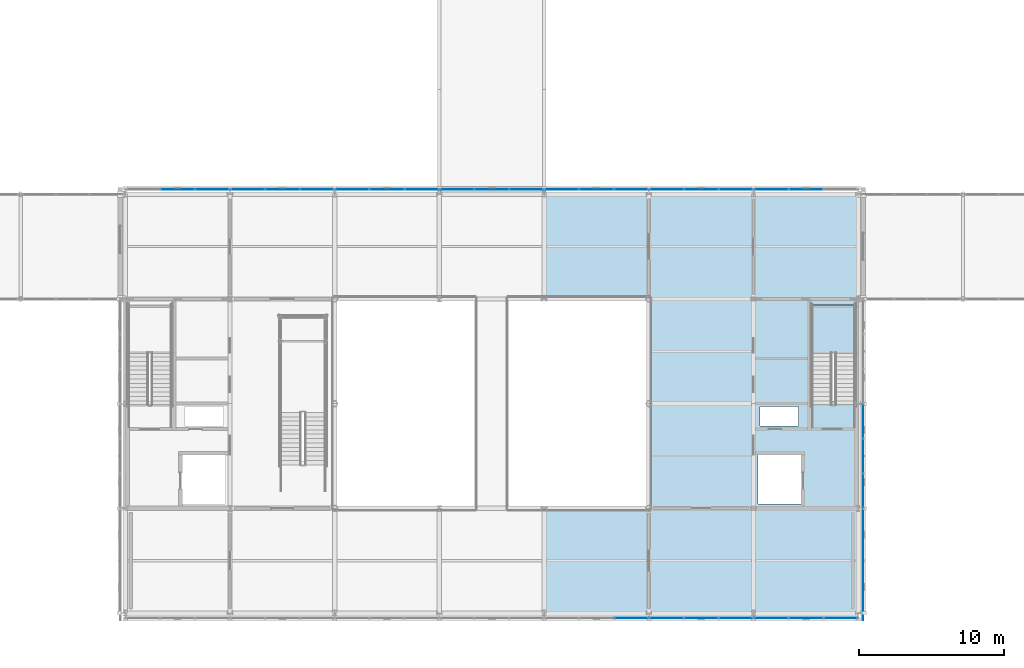
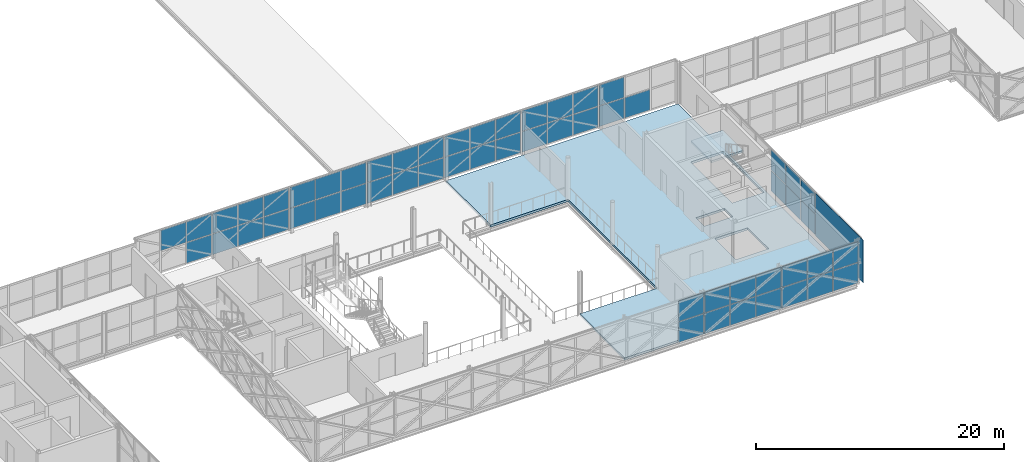
# One storey, part 77 of 126: 57 plates, 2 slabs, 12 elements without a shape of their own.
"""IFC4 building model written with IfcOpenShell, lengths in metres."""

from ifc_helpers import new_model, si_unit, direction, frame, origin, origin_2d, place, context, subcontext, project, spatial, polyline, rectangle, outline, extrude, material, layer, layer_set, type_object, element, aggregate, save


model = new_model("IFC4")

# Units and contexts
model_context = context("Model", 3, precision=1e-05, world=origin(), true_north=direction((0.0, 1.0)))
body_context = subcontext(model_context, "Body", "Model", "MODEL_VIEW")
ifc_project = project(units=[si_unit("LENGTHUNIT", "METRE"), si_unit("AREAUNIT", "SQUARE_METRE"), si_unit("VOLUMEUNIT", "CUBIC_METRE"), si_unit("PLANEANGLEUNIT", "RADIAN"), si_unit("MASSUNIT", "GRAM", prefix="KILO")], contexts=[model_context])

# Site, building, storey
site_placement = place(None, origin())
site = spatial("IfcSite", under=ifc_project, at=site_placement, CompositionType="ELEMENT")
building_placement = place(site_placement, origin())
building = spatial("IfcBuilding", under=site, at=building_placement, Name="Zlatovets Crest Museum", CompositionType="ELEMENT")
storey_placement = place(building_placement, frame((0.0, 0.0, 8.699951171875)))
storey = spatial("IfcBuildingStorey", under=building, at=storey_placement, Name="L02", CompositionType="ELEMENT", Elevation=8.699951171875)

# Curtain wall, plates
ifc_material_1 = material(Name="Bronze-anodised aluminium and low-E triple glass", Category="aluminium")
curtain_wall_type_1 = type_object("IfcCurtainWallType", Name="CW_CW-V2-L02-M0", PredefinedType="NOTDEFINED", material=ifc_material_1)
curtain_wall_1_placement = place(storey_placement, origin())
curtain_wall_1 = element("IfcCurtainWall", 1, at=curtain_wall_1_placement, inside=storey, type_object=curtain_wall_type_1, Name="V2 L02 Secession Foyer Clear Curtain Wall", PredefinedType="NOTDEFINED")
ifc_material_2 = material(Name="Solar-control low-E laminated triple glass", Category="glass")
ifc_layer_1 = layer(ifc_material_2, 0.028076171875)
ifc_layer_set_1 = layer_set([ifc_layer_1], Name="Solar-control low-E laminated triple glass")
plate_type_1 = type_object("IfcPlateType", Name="CWPanel_CW-V2-L02-M0", PredefinedType="CURTAIN_PANEL", material=ifc_layer_set_1)
plate_1_placement = place(storey_placement, frame((92.385009765625, -0.340087890625, 0.06005859375), z_axis=(0.0, 0.0, 1.0), x_axis=(1.0, 0.0, 0.0)))
plate_1 = element("IfcPlate", 2, at=plate_1_placement, type_object=plate_type_1, Name="CW-V2-L02-M0 panel 3.1", PredefinedType="CURTAIN_PANEL", context=body_context, shape_type="SweptSolid", body=[
    extrude(rectangle(XDim=2.31005859375, YDim=0.028076171875, at=origin_2d()), origin(), (0.0, 0.0, 1.0), 2.010009765625),
])
plate_2_placement = place(storey_placement, frame((92.385009765625, -0.340087890625, 2.1298828125), z_axis=(0.0, 0.0, 1.0), x_axis=(1.0, 0.0, 0.0)))
plate_2 = element("IfcPlate", 3, at=plate_2_placement, type_object=plate_type_1, Name="CW-V2-L02-M0 panel 3.2", PredefinedType="CURTAIN_PANEL", context=body_context, shape_type="SweptSolid", body=[
    extrude(rectangle(XDim=2.31005859375, YDim=0.028076171875, at=origin_2d()), origin(), (0.0, 0.0, 1.0), 2.010009765625),
])
aggregate(curtain_wall_1, [plate_1, plate_2])

curtain_wall_2_placement = place(storey_placement, origin())
curtain_wall_2 = element("IfcCurtainWall", 4, at=curtain_wall_2_placement, inside=storey, type_object=curtain_wall_type_1, Name="V2 L02 Expressed Core Glazed Facade", PredefinedType="NOTDEFINED")
plate_3_placement = place(storey_placement, frame((108.340087890625, 8.4150390625, 0.06005859375), z_axis=(0.0, 0.0, 1.0), x_axis=(0.0, 1.0, 0.0)))
plate_3 = element("IfcPlate", 5, at=plate_3_placement, type_object=plate_type_1, Name="CW-V2-L02-M0 panel 1.1", PredefinedType="CURTAIN_PANEL", context=body_context, shape_type="SweptSolid", body=[
    extrude(rectangle(XDim=2.31005859375, YDim=0.030029296875, at=origin_2d()), origin(), (0.0, 0.0, 1.0), 2.010009765625),
])
plate_4_placement = place(storey_placement, frame((108.340087890625, 8.4150390625, 2.1298828125), z_axis=(0.0, 0.0, 1.0), x_axis=(0.0, 1.0, 0.0)))
plate_4 = element("IfcPlate", 6, at=plate_4_placement, type_object=plate_type_1, Name="CW-V2-L02-M0 panel 1.2", PredefinedType="CURTAIN_PANEL", context=body_context, shape_type="SweptSolid", body=[
    extrude(rectangle(XDim=2.31005859375, YDim=0.030029296875, at=origin_2d()), origin(), (0.0, 0.0, 1.0), 2.010009765625),
])
plate_5_placement = place(storey_placement, frame((108.340087890625, 10.800048828125, 0.06005859375), z_axis=(0.0, 0.0, 1.0), x_axis=(0.0, 1.0, 0.0)))
plate_5 = element("IfcPlate", 7, at=plate_5_placement, type_object=plate_type_1, Name="CW-V2-L02-M0 panel 2.1", PredefinedType="CURTAIN_PANEL", context=body_context, shape_type="SweptSolid", body=[
    extrude(rectangle(XDim=2.340087890625, YDim=0.030029296875, at=origin_2d()), origin(), (0.0, 0.0, 1.0), 2.010009765625),
])
plate_6_placement = place(storey_placement, frame((108.340087890625, 10.800048828125, 2.1298828125), z_axis=(0.0, 0.0, 1.0), x_axis=(0.0, 1.0, 0.0)))
plate_6 = element("IfcPlate", 8, at=plate_6_placement, type_object=plate_type_1, Name="CW-V2-L02-M0 panel 2.2", PredefinedType="CURTAIN_PANEL", context=body_context, shape_type="SweptSolid", body=[
    extrude(rectangle(XDim=2.340087890625, YDim=0.030029296875, at=origin_2d()), origin(), (0.0, 0.0, 1.0), 2.010009765625),
])
plate_7_placement = place(storey_placement, frame((108.340087890625, 13.18505859375, 0.06005859375), z_axis=(0.0, 0.0, 1.0), x_axis=(0.0, 1.0, 0.0)))
plate_7 = element("IfcPlate", 9, at=plate_7_placement, type_object=plate_type_1, Name="CW-V2-L02-M0 panel 3.1", PredefinedType="CURTAIN_PANEL", context=body_context, shape_type="SweptSolid", body=[
    extrude(rectangle(XDim=2.31005859375, YDim=0.030029296875, at=origin_2d()), origin(), (0.0, 0.0, 1.0), 2.010009765625),
])
plate_8_placement = place(storey_placement, frame((108.340087890625, 13.18505859375, 2.1298828125), z_axis=(0.0, 0.0, 1.0), x_axis=(0.0, 1.0, 0.0)))
plate_8 = element("IfcPlate", 10, at=plate_8_placement, type_object=plate_type_1, Name="CW-V2-L02-M0 panel 3.2", PredefinedType="CURTAIN_PANEL", context=body_context, shape_type="SweptSolid", body=[
    extrude(rectangle(XDim=2.31005859375, YDim=0.030029296875, at=origin_2d()), origin(), (0.0, 0.0, 1.0), 2.010009765625),
])
aggregate(curtain_wall_2, [plate_3, plate_4, plate_5, plate_6, plate_7, plate_8])

curtain_wall_3_placement = place(storey_placement, origin())
curtain_wall_3 = element("IfcCurtainWall", 11, at=curtain_wall_3_placement, inside=storey, type_object=curtain_wall_type_1, Name="V2 L02 Secession Foyer Clear Curtain Wall", PredefinedType="NOTDEFINED")
plate_9_placement = place(storey_placement, frame((99.5849609375, 29.139892578125, 0.06005859375), z_axis=(0.0, 0.0, 1.0), x_axis=(-1.0, 0.0, 0.0)))
plate_9 = element("IfcPlate", 12, at=plate_9_placement, type_object=plate_type_1, Name="CW-V2-L02-M0 panel 1.1", PredefinedType="CURTAIN_PANEL", context=body_context, shape_type="SweptSolid", body=[
    extrude(rectangle(XDim=2.31005859375, YDim=0.028076171875, at=origin_2d()), origin(), (0.0, 0.0, 1.0), 2.010009765625),
])
plate_10_placement = place(storey_placement, frame((99.5849609375, 29.139892578125, 2.1298828125), z_axis=(0.0, 0.0, 1.0), x_axis=(-1.0, 0.0, 0.0)))
plate_10 = element("IfcPlate", 13, at=plate_10_placement, type_object=plate_type_1, Name="CW-V2-L02-M0 panel 1.2", PredefinedType="CURTAIN_PANEL", context=body_context, shape_type="SweptSolid", body=[
    extrude(rectangle(XDim=2.31005859375, YDim=0.028076171875, at=origin_2d()), origin(), (0.0, 0.0, 1.0), 2.010009765625),
])
plate_11_placement = place(storey_placement, frame((97.199951171875, 29.139892578125, 0.06005859375), z_axis=(0.0, 0.0, 1.0), x_axis=(-1.0, 0.0, 0.0)))
plate_11 = element("IfcPlate", 14, at=plate_11_placement, type_object=plate_type_1, Name="CW-V2-L02-M0 panel 2.1", PredefinedType="CURTAIN_PANEL", context=body_context, shape_type="SweptSolid", body=[
    extrude(rectangle(XDim=2.340087890625, YDim=0.028076171875, at=origin_2d()), origin(), (0.0, 0.0, 1.0), 2.010009765625),
])
plate_12_placement = place(storey_placement, frame((97.199951171875, 29.139892578125, 2.1298828125), z_axis=(0.0, 0.0, 1.0), x_axis=(-1.0, 0.0, 0.0)))
plate_12 = element("IfcPlate", 15, at=plate_12_placement, type_object=plate_type_1, Name="CW-V2-L02-M0 panel 2.2", PredefinedType="CURTAIN_PANEL", context=body_context, shape_type="SweptSolid", body=[
    extrude(rectangle(XDim=2.340087890625, YDim=0.028076171875, at=origin_2d()), origin(), (0.0, 0.0, 1.0), 2.010009765625),
])
plate_13_placement = place(storey_placement, frame((94.81494140625, 29.139892578125, 0.06005859375), z_axis=(0.0, 0.0, 1.0), x_axis=(-1.0, 0.0, 0.0)))
plate_13 = element("IfcPlate", 16, at=plate_13_placement, type_object=plate_type_1, Name="CW-V2-L02-M0 panel 3.1", PredefinedType="CURTAIN_PANEL", context=body_context, shape_type="SweptSolid", body=[
    extrude(rectangle(XDim=2.31005859375, YDim=0.028076171875, at=origin_2d()), origin(), (0.0, 0.0, 1.0), 2.010009765625),
])
plate_14_placement = place(storey_placement, frame((94.81494140625, 29.139892578125, 2.1298828125), z_axis=(0.0, 0.0, 1.0), x_axis=(-1.0, 0.0, 0.0)))
plate_14 = element("IfcPlate", 17, at=plate_14_placement, type_object=plate_type_1, Name="CW-V2-L02-M0 panel 3.2", PredefinedType="CURTAIN_PANEL", context=body_context, shape_type="SweptSolid", body=[
    extrude(rectangle(XDim=2.31005859375, YDim=0.028076171875, at=origin_2d()), origin(), (0.0, 0.0, 1.0), 2.010009765625),
])
aggregate(curtain_wall_3, [plate_9, plate_10, plate_11, plate_12, plate_13, plate_14])

curtain_wall_4_placement = place(storey_placement, origin())
curtain_wall_4 = element("IfcCurtainWall", 18, at=curtain_wall_4_placement, inside=storey, type_object=curtain_wall_type_1, Name="V2 L02 Secession Foyer Clear Curtain Wall", PredefinedType="NOTDEFINED")
plate_15_placement = place(storey_placement, frame((70.784912109375, 29.139892578125, 0.06005859375), z_axis=(0.0, 0.0, 1.0), x_axis=(-1.0, 0.0, 0.0)))
plate_15 = element("IfcPlate", 19, at=plate_15_placement, type_object=plate_type_1, Name="CW-V2-L02-M0 panel 1.1", PredefinedType="CURTAIN_PANEL", context=body_context, shape_type="SweptSolid", body=[
    extrude(rectangle(XDim=2.31005859375, YDim=0.028076171875, at=origin_2d()), origin(), (0.0, 0.0, 1.0), 2.010009765625),
])
plate_16_placement = place(storey_placement, frame((70.784912109375, 29.139892578125, 2.1298828125), z_axis=(0.0, 0.0, 1.0), x_axis=(-1.0, 0.0, 0.0)))
plate_16 = element("IfcPlate", 20, at=plate_16_placement, type_object=plate_type_1, Name="CW-V2-L02-M0 panel 1.2", PredefinedType="CURTAIN_PANEL", context=body_context, shape_type="SweptSolid", body=[
    extrude(rectangle(XDim=2.31005859375, YDim=0.028076171875, at=origin_2d()), origin(), (0.0, 0.0, 1.0), 2.010009765625),
])
plate_17_placement = place(storey_placement, frame((68.39990234375, 29.139892578125, 0.06005859375), z_axis=(0.0, 0.0, 1.0), x_axis=(-1.0, 0.0, 0.0)))
plate_17 = element("IfcPlate", 21, at=plate_17_placement, type_object=plate_type_1, Name="CW-V2-L02-M0 panel 2.1", PredefinedType="CURTAIN_PANEL", context=body_context, shape_type="SweptSolid", body=[
    extrude(rectangle(XDim=2.340087890625, YDim=0.028076171875, at=origin_2d()), origin(), (0.0, 0.0, 1.0), 2.010009765625),
])
plate_18_placement = place(storey_placement, frame((68.39990234375, 29.139892578125, 2.1298828125), z_axis=(0.0, 0.0, 1.0), x_axis=(-1.0, 0.0, 0.0)))
plate_18 = element("IfcPlate", 22, at=plate_18_placement, type_object=plate_type_1, Name="CW-V2-L02-M0 panel 2.2", PredefinedType="CURTAIN_PANEL", context=body_context, shape_type="SweptSolid", body=[
    extrude(rectangle(XDim=2.340087890625, YDim=0.028076171875, at=origin_2d()), origin(), (0.0, 0.0, 1.0), 2.010009765625),
])
plate_19_placement = place(storey_placement, frame((66.014892578125, 29.139892578125, 0.06005859375), z_axis=(0.0, 0.0, 1.0), x_axis=(-1.0, 0.0, 0.0)))
plate_19 = element("IfcPlate", 23, at=plate_19_placement, type_object=plate_type_1, Name="CW-V2-L02-M0 panel 3.1", PredefinedType="CURTAIN_PANEL", context=body_context, shape_type="SweptSolid", body=[
    extrude(rectangle(XDim=2.31005859375, YDim=0.028076171875, at=origin_2d()), origin(), (0.0, 0.0, 1.0), 2.010009765625),
])
plate_20_placement = place(storey_placement, frame((66.014892578125, 29.139892578125, 2.1298828125), z_axis=(0.0, 0.0, 1.0), x_axis=(-1.0, 0.0, 0.0)))
plate_20 = element("IfcPlate", 24, at=plate_20_placement, type_object=plate_type_1, Name="CW-V2-L02-M0 panel 3.2", PredefinedType="CURTAIN_PANEL", context=body_context, shape_type="SweptSolid", body=[
    extrude(rectangle(XDim=2.31005859375, YDim=0.028076171875, at=origin_2d()), origin(), (0.0, 0.0, 1.0), 2.010009765625),
])
aggregate(curtain_wall_4, [plate_15, plate_16, plate_17, plate_18, plate_19, plate_20])

curtain_wall_type_2 = type_object("IfcCurtainWallType", Name="CW_CW-V2-L02-M1", PredefinedType="NOTDEFINED", material=ifc_material_1)
curtain_wall_5_placement = place(storey_placement, origin())
curtain_wall_5 = element("IfcCurtainWall", 25, at=curtain_wall_5_placement, inside=storey, type_object=curtain_wall_type_2, Name="V2 L02 Secession Foyer Clear Curtain Wall", PredefinedType="NOTDEFINED")
ifc_layer_2 = layer(ifc_material_2, 0.031982421875)
ifc_layer_set_2 = layer_set([ifc_layer_2], Name="Solar-control low-E laminated triple glass")
plate_type_2 = type_object("IfcPlateType", Name="CWPanel_CW-V2-L02-M1", PredefinedType="CURTAIN_PANEL", material=ifc_layer_set_2)
plate_21_placement = place(storey_placement, frame((94.81494140625, -0.340087890625, 0.06005859375), z_axis=(0.0, 0.0, 1.0), x_axis=(1.0, 0.0, 0.0)))
plate_21 = element("IfcPlate", 26, at=plate_21_placement, type_object=plate_type_2, Name="CW-V2-L02-M1 panel 1.1", PredefinedType="CURTAIN_PANEL", context=body_context, shape_type="SweptSolid", body=[
    extrude(rectangle(XDim=2.31005859375, YDim=0.031982421875, at=origin_2d()), origin(), (0.0, 0.0, 1.0), 2.010009765625),
])
plate_22_placement = place(storey_placement, frame((94.81494140625, -0.340087890625, 2.1298828125), z_axis=(0.0, 0.0, 1.0), x_axis=(1.0, 0.0, 0.0)))
plate_22 = element("IfcPlate", 27, at=plate_22_placement, type_object=plate_type_2, Name="CW-V2-L02-M1 panel 1.2", PredefinedType="CURTAIN_PANEL", context=body_context, shape_type="SweptSolid", body=[
    extrude(rectangle(XDim=2.31005859375, YDim=0.031982421875, at=origin_2d()), origin(), (0.0, 0.0, 1.0), 2.010009765625),
])
plate_23_placement = place(storey_placement, frame((97.199951171875, -0.340087890625, 0.06005859375), z_axis=(0.0, 0.0, 1.0), x_axis=(1.0, 0.0, 0.0)))
plate_23 = element("IfcPlate", 28, at=plate_23_placement, type_object=plate_type_2, Name="CW-V2-L02-M1 panel 2.1", PredefinedType="CURTAIN_PANEL", context=body_context, shape_type="SweptSolid", body=[
    extrude(rectangle(XDim=2.340087890625, YDim=0.031982421875, at=origin_2d()), origin(), (0.0, 0.0, 1.0), 2.010009765625),
])
plate_24_placement = place(storey_placement, frame((97.199951171875, -0.340087890625, 2.1298828125), z_axis=(0.0, 0.0, 1.0), x_axis=(1.0, 0.0, 0.0)))
plate_24 = element("IfcPlate", 29, at=plate_24_placement, type_object=plate_type_2, Name="CW-V2-L02-M1 panel 2.2", PredefinedType="CURTAIN_PANEL", context=body_context, shape_type="SweptSolid", body=[
    extrude(rectangle(XDim=2.340087890625, YDim=0.031982421875, at=origin_2d()), origin(), (0.0, 0.0, 1.0), 2.010009765625),
])
plate_25_placement = place(storey_placement, frame((99.5849609375, -0.340087890625, 0.06005859375), z_axis=(0.0, 0.0, 1.0), x_axis=(1.0, 0.0, 0.0)))
plate_25 = element("IfcPlate", 30, at=plate_25_placement, type_object=plate_type_2, Name="CW-V2-L02-M1 panel 3.1", PredefinedType="CURTAIN_PANEL", context=body_context, shape_type="SweptSolid", body=[
    extrude(rectangle(XDim=2.31005859375, YDim=0.031982421875, at=origin_2d()), origin(), (0.0, 0.0, 1.0), 2.010009765625),
])
plate_26_placement = place(storey_placement, frame((99.5849609375, -0.340087890625, 2.1298828125), z_axis=(0.0, 0.0, 1.0), x_axis=(1.0, 0.0, 0.0)))
plate_26 = element("IfcPlate", 31, at=plate_26_placement, type_object=plate_type_2, Name="CW-V2-L02-M1 panel 3.2", PredefinedType="CURTAIN_PANEL", context=body_context, shape_type="SweptSolid", body=[
    extrude(rectangle(XDim=2.31005859375, YDim=0.031982421875, at=origin_2d()), origin(), (0.0, 0.0, 1.0), 2.010009765625),
])
aggregate(curtain_wall_5, [plate_21, plate_22, plate_23, plate_24, plate_25, plate_26])

curtain_wall_6_placement = place(storey_placement, origin())
curtain_wall_6 = element("IfcCurtainWall", 32, at=curtain_wall_6_placement, inside=storey, type_object=curtain_wall_type_2, Name="V2 L02 Secession Foyer Clear Curtain Wall", PredefinedType="NOTDEFINED")
plate_27_placement = place(storey_placement, frame((92.385009765625, 29.139892578125, 0.06005859375), z_axis=(0.0, 0.0, 1.0), x_axis=(-1.0, 0.0, 0.0)))
plate_27 = element("IfcPlate", 33, at=plate_27_placement, type_object=plate_type_2, Name="CW-V2-L02-M1 panel 1.1", PredefinedType="CURTAIN_PANEL", context=body_context, shape_type="SweptSolid", body=[
    extrude(rectangle(XDim=2.31005859375, YDim=0.031982421875, at=origin_2d()), origin(), (0.0, 0.0, 1.0), 2.010009765625),
])
plate_28_placement = place(storey_placement, frame((92.385009765625, 29.139892578125, 2.1298828125), z_axis=(0.0, 0.0, 1.0), x_axis=(-1.0, 0.0, 0.0)))
plate_28 = element("IfcPlate", 34, at=plate_28_placement, type_object=plate_type_2, Name="CW-V2-L02-M1 panel 1.2", PredefinedType="CURTAIN_PANEL", context=body_context, shape_type="SweptSolid", body=[
    extrude(rectangle(XDim=2.31005859375, YDim=0.031982421875, at=origin_2d()), origin(), (0.0, 0.0, 1.0), 2.010009765625),
])
plate_29_placement = place(storey_placement, frame((90.0, 29.139892578125, 0.06005859375), z_axis=(0.0, 0.0, 1.0), x_axis=(-1.0, 0.0, 0.0)))
plate_29 = element("IfcPlate", 35, at=plate_29_placement, type_object=plate_type_2, Name="CW-V2-L02-M1 panel 2.1", PredefinedType="CURTAIN_PANEL", context=body_context, shape_type="SweptSolid", body=[
    extrude(rectangle(XDim=2.340087890625, YDim=0.031982421875, at=origin_2d()), origin(), (0.0, 0.0, 1.0), 2.010009765625),
])
plate_30_placement = place(storey_placement, frame((90.0, 29.139892578125, 2.1298828125), z_axis=(0.0, 0.0, 1.0), x_axis=(-1.0, 0.0, 0.0)))
plate_30 = element("IfcPlate", 36, at=plate_30_placement, type_object=plate_type_2, Name="CW-V2-L02-M1 panel 2.2", PredefinedType="CURTAIN_PANEL", context=body_context, shape_type="SweptSolid", body=[
    extrude(rectangle(XDim=2.340087890625, YDim=0.031982421875, at=origin_2d()), origin(), (0.0, 0.0, 1.0), 2.010009765625),
])
plate_31_placement = place(storey_placement, frame((87.614990234375, 29.139892578125, 0.06005859375), z_axis=(0.0, 0.0, 1.0), x_axis=(-1.0, 0.0, 0.0)))
plate_31 = element("IfcPlate", 37, at=plate_31_placement, type_object=plate_type_2, Name="CW-V2-L02-M1 panel 3.1", PredefinedType="CURTAIN_PANEL", context=body_context, shape_type="SweptSolid", body=[
    extrude(rectangle(XDim=2.31005859375, YDim=0.031982421875, at=origin_2d()), origin(), (0.0, 0.0, 1.0), 2.010009765625),
])
plate_32_placement = place(storey_placement, frame((87.614990234375, 29.139892578125, 2.1298828125), z_axis=(0.0, 0.0, 1.0), x_axis=(-1.0, 0.0, 0.0)))
plate_32 = element("IfcPlate", 38, at=plate_32_placement, type_object=plate_type_2, Name="CW-V2-L02-M1 panel 3.2", PredefinedType="CURTAIN_PANEL", context=body_context, shape_type="SweptSolid", body=[
    extrude(rectangle(XDim=2.31005859375, YDim=0.031982421875, at=origin_2d()), origin(), (0.0, 0.0, 1.0), 2.010009765625),
])
aggregate(curtain_wall_6, [plate_27, plate_28, plate_29, plate_30, plate_31, plate_32])

curtain_wall_7_placement = place(storey_placement, origin())
curtain_wall_7 = element("IfcCurtainWall", 39, at=curtain_wall_7_placement, inside=storey, type_object=curtain_wall_type_2, Name="V2 L02 Secession Foyer Clear Curtain Wall", PredefinedType="NOTDEFINED")
plate_33_placement = place(storey_placement, frame((63.5849609375, 29.139892578125, 0.06005859375), z_axis=(0.0, 0.0, 1.0), x_axis=(-1.0, 0.0, 0.0)))
plate_33 = element("IfcPlate", 40, at=plate_33_placement, type_object=plate_type_2, Name="CW-V2-L02-M1 panel 1.1", PredefinedType="CURTAIN_PANEL", context=body_context, shape_type="SweptSolid", body=[
    extrude(rectangle(XDim=2.31005859375, YDim=0.031982421875, at=origin_2d()), origin(), (0.0, 0.0, 1.0), 2.010009765625),
])
plate_34_placement = place(storey_placement, frame((63.5849609375, 29.139892578125, 2.1298828125), z_axis=(0.0, 0.0, 1.0), x_axis=(-1.0, 0.0, 0.0)))
plate_34 = element("IfcPlate", 41, at=plate_34_placement, type_object=plate_type_2, Name="CW-V2-L02-M1 panel 1.2", PredefinedType="CURTAIN_PANEL", context=body_context, shape_type="SweptSolid", body=[
    extrude(rectangle(XDim=2.31005859375, YDim=0.031982421875, at=origin_2d()), origin(), (0.0, 0.0, 1.0), 2.010009765625),
])
plate_35_placement = place(storey_placement, frame((61.199951171875, 29.139892578125, 2.1298828125), z_axis=(0.0, 0.0, 1.0), x_axis=(-1.0, 0.0, 0.0)))
plate_35 = element("IfcPlate", 42, at=plate_35_placement, type_object=plate_type_2, Name="CW-V2-L02-M1 panel 2.2", PredefinedType="CURTAIN_PANEL", context=body_context, shape_type="SweptSolid", body=[
    extrude(rectangle(XDim=2.340087890625, YDim=0.031982421875, at=origin_2d()), origin(), (0.0, 0.0, 1.0), 2.010009765625),
])
aggregate(curtain_wall_7, [plate_33, plate_34, plate_35])

curtain_wall_type_3 = type_object("IfcCurtainWallType", Name="CW_CW-V2-L02-M2", PredefinedType="NOTDEFINED", material=ifc_material_1)
curtain_wall_8_placement = place(storey_placement, origin())
curtain_wall_8 = element("IfcCurtainWall", 43, at=curtain_wall_8_placement, inside=storey, type_object=curtain_wall_type_3, Name="V2 L02 Secession Foyer Clear Curtain Wall", PredefinedType="NOTDEFINED")
ifc_layer_3 = layer(ifc_material_2, 0.035888671875)
ifc_layer_set_3 = layer_set([ifc_layer_3], Name="Solar-control low-E laminated triple glass")
plate_type_3 = type_object("IfcPlateType", Name="CWPanel_CW-V2-L02-M2", PredefinedType="CURTAIN_PANEL", material=ifc_layer_set_3)
plate_36_placement = place(storey_placement, frame((102.014892578125, -0.340087890625, 0.06005859375), z_axis=(0.0, 0.0, 1.0), x_axis=(1.0, 0.0, 0.0)))
plate_36 = element("IfcPlate", 44, at=plate_36_placement, type_object=plate_type_3, Name="CW-V2-L02-M2 panel 1.1", PredefinedType="CURTAIN_PANEL", context=body_context, shape_type="SweptSolid", body=[
    extrude(rectangle(XDim=2.31005859375, YDim=0.035888671875, at=origin_2d()), origin(), (0.0, 0.0, 1.0), 2.010009765625),
])
plate_37_placement = place(storey_placement, frame((102.014892578125, -0.340087890625, 2.1298828125), z_axis=(0.0, 0.0, 1.0), x_axis=(1.0, 0.0, 0.0)))
plate_37 = element("IfcPlate", 45, at=plate_37_placement, type_object=plate_type_3, Name="CW-V2-L02-M2 panel 1.2", PredefinedType="CURTAIN_PANEL", context=body_context, shape_type="SweptSolid", body=[
    extrude(rectangle(XDim=2.31005859375, YDim=0.035888671875, at=origin_2d()), origin(), (0.0, 0.0, 1.0), 2.010009765625),
])
plate_38_placement = place(storey_placement, frame((104.39990234375, -0.340087890625, 0.06005859375), z_axis=(0.0, 0.0, 1.0), x_axis=(1.0, 0.0, 0.0)))
plate_38 = element("IfcPlate", 46, at=plate_38_placement, type_object=plate_type_3, Name="CW-V2-L02-M2 panel 2.1", PredefinedType="CURTAIN_PANEL", context=body_context, shape_type="SweptSolid", body=[
    extrude(rectangle(XDim=2.340087890625, YDim=0.035888671875, at=origin_2d()), origin(), (0.0, 0.0, 1.0), 2.010009765625),
])
plate_39_placement = place(storey_placement, frame((104.39990234375, -0.340087890625, 2.1298828125), z_axis=(0.0, 0.0, 1.0), x_axis=(1.0, 0.0, 0.0)))
plate_39 = element("IfcPlate", 47, at=plate_39_placement, type_object=plate_type_3, Name="CW-V2-L02-M2 panel 2.2", PredefinedType="CURTAIN_PANEL", context=body_context, shape_type="SweptSolid", body=[
    extrude(rectangle(XDim=2.340087890625, YDim=0.035888671875, at=origin_2d()), origin(), (0.0, 0.0, 1.0), 2.010009765625),
])
plate_40_placement = place(storey_placement, frame((106.784912109375, -0.340087890625, 0.06005859375), z_axis=(0.0, 0.0, 1.0), x_axis=(1.0, 0.0, 0.0)))
plate_40 = element("IfcPlate", 48, at=plate_40_placement, type_object=plate_type_3, Name="CW-V2-L02-M2 panel 3.1", PredefinedType="CURTAIN_PANEL", context=body_context, shape_type="SweptSolid", body=[
    extrude(rectangle(XDim=2.31005859375, YDim=0.035888671875, at=origin_2d()), origin(), (0.0, 0.0, 1.0), 2.010009765625),
])
plate_41_placement = place(storey_placement, frame((106.784912109375, -0.340087890625, 2.1298828125), z_axis=(0.0, 0.0, 1.0), x_axis=(1.0, 0.0, 0.0)))
plate_41 = element("IfcPlate", 49, at=plate_41_placement, type_object=plate_type_3, Name="CW-V2-L02-M2 panel 3.2", PredefinedType="CURTAIN_PANEL", context=body_context, shape_type="SweptSolid", body=[
    extrude(rectangle(XDim=2.31005859375, YDim=0.035888671875, at=origin_2d()), origin(), (0.0, 0.0, 1.0), 2.010009765625),
])
aggregate(curtain_wall_8, [plate_36, plate_37, plate_38, plate_39, plate_40, plate_41])

curtain_wall_9_placement = place(storey_placement, origin())
curtain_wall_9 = element("IfcCurtainWall", 50, at=curtain_wall_9_placement, inside=storey, type_object=curtain_wall_type_3, Name="V2 L02 Secession Foyer Clear Curtain Wall", PredefinedType="NOTDEFINED")
plate_42_placement = place(storey_placement, frame((85.18505859375, 29.139892578125, 0.06005859375), z_axis=(0.0, 0.0, 1.0), x_axis=(-1.0, 0.0, 0.0)))
plate_42 = element("IfcPlate", 51, at=plate_42_placement, type_object=plate_type_3, Name="CW-V2-L02-M2 panel 1.1", PredefinedType="CURTAIN_PANEL", context=body_context, shape_type="SweptSolid", body=[
    extrude(rectangle(XDim=2.31005859375, YDim=0.035888671875, at=origin_2d()), origin(), (0.0, 0.0, 1.0), 2.010009765625),
])
plate_43_placement = place(storey_placement, frame((85.18505859375, 29.139892578125, 2.1298828125), z_axis=(0.0, 0.0, 1.0), x_axis=(-1.0, 0.0, 0.0)))
plate_43 = element("IfcPlate", 52, at=plate_43_placement, type_object=plate_type_3, Name="CW-V2-L02-M2 panel 1.2", PredefinedType="CURTAIN_PANEL", context=body_context, shape_type="SweptSolid", body=[
    extrude(rectangle(XDim=2.31005859375, YDim=0.035888671875, at=origin_2d()), origin(), (0.0, 0.0, 1.0), 2.010009765625),
])
plate_44_placement = place(storey_placement, frame((82.800048828125, 29.139892578125, 0.06005859375), z_axis=(0.0, 0.0, 1.0), x_axis=(-1.0, 0.0, 0.0)))
plate_44 = element("IfcPlate", 53, at=plate_44_placement, type_object=plate_type_3, Name="CW-V2-L02-M2 panel 2.1", PredefinedType="CURTAIN_PANEL", context=body_context, shape_type="SweptSolid", body=[
    extrude(rectangle(XDim=2.340087890625, YDim=0.035888671875, at=origin_2d()), origin(), (0.0, 0.0, 1.0), 2.010009765625),
])
plate_45_placement = place(storey_placement, frame((82.800048828125, 29.139892578125, 2.1298828125), z_axis=(0.0, 0.0, 1.0), x_axis=(-1.0, 0.0, 0.0)))
plate_45 = element("IfcPlate", 54, at=plate_45_placement, type_object=plate_type_3, Name="CW-V2-L02-M2 panel 2.2", PredefinedType="CURTAIN_PANEL", context=body_context, shape_type="SweptSolid", body=[
    extrude(rectangle(XDim=2.340087890625, YDim=0.035888671875, at=origin_2d()), origin(), (0.0, 0.0, 1.0), 2.010009765625),
])
plate_46_placement = place(storey_placement, frame((80.4150390625, 29.139892578125, 0.06005859375), z_axis=(0.0, 0.0, 1.0), x_axis=(-1.0, 0.0, 0.0)))
plate_46 = element("IfcPlate", 55, at=plate_46_placement, type_object=plate_type_3, Name="CW-V2-L02-M2 panel 3.1", PredefinedType="CURTAIN_PANEL", context=body_context, shape_type="SweptSolid", body=[
    extrude(rectangle(XDim=2.31005859375, YDim=0.035888671875, at=origin_2d()), origin(), (0.0, 0.0, 1.0), 2.010009765625),
])
plate_47_placement = place(storey_placement, frame((80.4150390625, 29.139892578125, 2.1298828125), z_axis=(0.0, 0.0, 1.0), x_axis=(-1.0, 0.0, 0.0)))
plate_47 = element("IfcPlate", 56, at=plate_47_placement, type_object=plate_type_3, Name="CW-V2-L02-M2 panel 3.2", PredefinedType="CURTAIN_PANEL", context=body_context, shape_type="SweptSolid", body=[
    extrude(rectangle(XDim=2.31005859375, YDim=0.035888671875, at=origin_2d()), origin(), (0.0, 0.0, 1.0), 2.010009765625),
])
aggregate(curtain_wall_9, [plate_42, plate_43, plate_44, plate_45, plate_46, plate_47])

curtain_wall_type_4 = type_object("IfcCurtainWallType", Name="CW_CW-V2-L02-M3", PredefinedType="NOTDEFINED", material=ifc_material_1)
curtain_wall_10_placement = place(storey_placement, origin())
curtain_wall_10 = element("IfcCurtainWall", 57, at=curtain_wall_10_placement, inside=storey, type_object=curtain_wall_type_4, Name="V2 L02 Secession Foyer Clear Curtain Wall", PredefinedType="NOTDEFINED")
ifc_layer_4 = layer(ifc_material_2, 0.0400390625)
ifc_layer_set_4 = layer_set([ifc_layer_4], Name="Solar-control low-E laminated triple glass")
plate_type_4 = type_object("IfcPlateType", Name="CWPanel_CW-V2-L02-M3", PredefinedType="CURTAIN_PANEL", material=ifc_layer_set_4)
plate_48_placement = place(storey_placement, frame((104.39990234375, 29.139892578125, 0.06005859375), z_axis=(0.0, 0.0, 1.0), x_axis=(-1.0, 0.0, 0.0)))
plate_48 = element("IfcPlate", 58, at=plate_48_placement, type_object=plate_type_4, Name="CW-V2-L02-M3 panel 2.1", PredefinedType="CURTAIN_PANEL", context=body_context, shape_type="SweptSolid", body=[
    extrude(rectangle(XDim=2.340087890625, YDim=0.0400390625, at=origin_2d()), origin(), (0.0, 0.0, 1.0), 2.010009765625),
])
plate_49_placement = place(storey_placement, frame((102.014892578125, 29.139892578125, 0.06005859375), z_axis=(0.0, 0.0, 1.0), x_axis=(-1.0, 0.0, 0.0)))
plate_49 = element("IfcPlate", 59, at=plate_49_placement, type_object=plate_type_4, Name="CW-V2-L02-M3 panel 3.1", PredefinedType="CURTAIN_PANEL", context=body_context, shape_type="SweptSolid", body=[
    extrude(rectangle(XDim=2.31005859375, YDim=0.0400390625, at=origin_2d()), origin(), (0.0, 0.0, 1.0), 2.010009765625),
])
plate_50_placement = place(storey_placement, frame((102.014892578125, 29.139892578125, 2.1298828125), z_axis=(0.0, 0.0, 1.0), x_axis=(-1.0, 0.0, 0.0)))
plate_50 = element("IfcPlate", 60, at=plate_50_placement, type_object=plate_type_4, Name="CW-V2-L02-M3 panel 3.2", PredefinedType="CURTAIN_PANEL", context=body_context, shape_type="SweptSolid", body=[
    extrude(rectangle(XDim=2.31005859375, YDim=0.0400390625, at=origin_2d()), origin(), (0.0, 0.0, 1.0), 2.010009765625),
])
aggregate(curtain_wall_10, [plate_48, plate_49, plate_50])

curtain_wall_11_placement = place(storey_placement, origin())
curtain_wall_11 = element("IfcCurtainWall", 61, at=curtain_wall_11_placement, inside=storey, type_object=curtain_wall_type_4, Name="V2 L02 Secession Foyer Clear Curtain Wall", PredefinedType="NOTDEFINED")
plate_51_placement = place(storey_placement, frame((77.985107421875, 29.139892578125, 0.06005859375), z_axis=(0.0, 0.0, 1.0), x_axis=(-1.0, 0.0, 0.0)))
plate_51 = element("IfcPlate", 62, at=plate_51_placement, type_object=plate_type_4, Name="CW-V2-L02-M3 panel 1.1", PredefinedType="CURTAIN_PANEL", context=body_context, shape_type="SweptSolid", body=[
    extrude(rectangle(XDim=2.31005859375, YDim=0.0400390625, at=origin_2d()), origin(), (0.0, 0.0, 1.0), 2.010009765625),
])
plate_52_placement = place(storey_placement, frame((77.985107421875, 29.139892578125, 2.1298828125), z_axis=(0.0, 0.0, 1.0), x_axis=(-1.0, 0.0, 0.0)))
plate_52 = element("IfcPlate", 63, at=plate_52_placement, type_object=plate_type_4, Name="CW-V2-L02-M3 panel 1.2", PredefinedType="CURTAIN_PANEL", context=body_context, shape_type="SweptSolid", body=[
    extrude(rectangle(XDim=2.31005859375, YDim=0.0400390625, at=origin_2d()), origin(), (0.0, 0.0, 1.0), 2.010009765625),
])
plate_53_placement = place(storey_placement, frame((75.60009765625, 29.139892578125, 0.06005859375), z_axis=(0.0, 0.0, 1.0), x_axis=(-1.0, 0.0, 0.0)))
plate_53 = element("IfcPlate", 64, at=plate_53_placement, type_object=plate_type_4, Name="CW-V2-L02-M3 panel 2.1", PredefinedType="CURTAIN_PANEL", context=body_context, shape_type="SweptSolid", body=[
    extrude(rectangle(XDim=2.340087890625, YDim=0.0400390625, at=origin_2d()), origin(), (0.0, 0.0, 1.0), 2.010009765625),
])
plate_54_placement = place(storey_placement, frame((75.60009765625, 29.139892578125, 2.1298828125), z_axis=(0.0, 0.0, 1.0), x_axis=(-1.0, 0.0, 0.0)))
plate_54 = element("IfcPlate", 65, at=plate_54_placement, type_object=plate_type_4, Name="CW-V2-L02-M3 panel 2.2", PredefinedType="CURTAIN_PANEL", context=body_context, shape_type="SweptSolid", body=[
    extrude(rectangle(XDim=2.340087890625, YDim=0.0400390625, at=origin_2d()), origin(), (0.0, 0.0, 1.0), 2.010009765625),
])
plate_55_placement = place(storey_placement, frame((73.215087890625, 29.139892578125, 0.06005859375), z_axis=(0.0, 0.0, 1.0), x_axis=(-1.0, 0.0, 0.0)))
plate_55 = element("IfcPlate", 66, at=plate_55_placement, type_object=plate_type_4, Name="CW-V2-L02-M3 panel 3.1", PredefinedType="CURTAIN_PANEL", context=body_context, shape_type="SweptSolid", body=[
    extrude(rectangle(XDim=2.31005859375, YDim=0.0400390625, at=origin_2d()), origin(), (0.0, 0.0, 1.0), 2.010009765625),
])
plate_56_placement = place(storey_placement, frame((73.215087890625, 29.139892578125, 2.1298828125), z_axis=(0.0, 0.0, 1.0), x_axis=(-1.0, 0.0, 0.0)))
plate_56 = element("IfcPlate", 67, at=plate_56_placement, type_object=plate_type_4, Name="CW-V2-L02-M3 panel 3.2", PredefinedType="CURTAIN_PANEL", context=body_context, shape_type="SweptSolid", body=[
    extrude(rectangle(XDim=2.31005859375, YDim=0.0400390625, at=origin_2d()), origin(), (0.0, 0.0, 1.0), 2.010009765625),
])
aggregate(curtain_wall_11, [plate_51, plate_52, plate_53, plate_54, plate_55, plate_56])

# Plate
ifc_material_3 = material(Name="Ceramic-fritted low-E laminated architectural glass", Category="glass")
ifc_layer_5 = layer(ifc_material_3, 0.031982421875)
ifc_layer_set_5 = layer_set([ifc_layer_5], Name="Ceramic-fritted low-E laminated architectural glass")
plate_type_5 = type_object("IfcPlateType", Name="GlazedSpandrel_GSP1", PredefinedType="USERDEFINED", material=ifc_layer_set_5)
plate_57_placement = place(storey_placement, frame((108.340087890625, 3.360107421875, 0.0), z_axis=(0.0, 0.0, 1.0), x_axis=(0.0, 1.0, 0.0)))
element("IfcPlate", 68, at=plate_57_placement, inside=storey, type_object=plate_type_5, Name="V2 L02 Ceramic-Fritted Gallery Glass Skin", ObjectType="GLAZED_SPANDREL", PredefinedType="USERDEFINED", context=body_context, shape_type="SweptSolid", body=[
    extrude(rectangle(XDim=7.679931640625, YDim=0.031982421875, at=origin_2d()), origin(), (0.0, 0.0, 1.0), 4.199951171875),
])

# Slab
ifc_material_4 = material(Name="Concrete C30/37", Category="concrete")
ifc_layer_6 = layer(ifc_material_4, 0.219970703125)
ifc_layer_set_6 = layer_set([ifc_layer_6], Name="Concrete C30/37")
slab_type_1 = type_object("IfcSlabType", Name="Slab_FS-02", PredefinedType="FLOOR", material=ifc_layer_set_6)
slab_1_placement = place(storey_placement, frame((0.0, 0.0, -0.219970703125)))
element("IfcSlab", 69, at=slab_1_placement, inside=storey, type_object=slab_type_1, Name="V2 L02 Structural Slab Panel 2", PredefinedType="FLOOR", context=body_context, shape_type="SweptSolid", body=[
    extrude(outline(polyline([(108.0, 0.0), (86.39990234375, 0.0), (86.39990234375, 7.199951171875), (93.60009765625, 7.199951171875), (93.60009765625, 21.60009765625), (86.39990234375, 21.60009765625), (86.39990234375, 28.800048828125), (108.0, 28.800048828125), (108.0, 0.0)]), holes=[polyline([(104.800048828125, 21.199951171875), (104.800048828125, 14.5400390625), (107.800048828125, 14.5400390625), (107.800048828125, 21.199951171875), (104.800048828125, 21.199951171875)]), polyline([(101.10009765625, 10.89990234375), (101.10009765625, 7.5), (104.14990234375, 7.5), (104.14990234375, 10.89990234375), (101.10009765625, 10.89990234375)]), polyline([(103.89990234375, 14.199951171875), (101.25, 14.199951171875), (101.25, 12.85009765625), (103.89990234375, 12.85009765625), (103.89990234375, 14.199951171875)])]), origin(), (0.0, 0.0, 1.0), 0.219970703125),
])

# Stair, slab
ifc_material_5 = material(Name="Concrete C35/45", Category="concrete")
stair_type = type_object("IfcStairType", Name="Stair_ST9-26R", PredefinedType="HALF_TURN_STAIR", material=ifc_material_5)
stair_placement = place(storey_placement, origin())
stair = element("IfcStair", 70, at=stair_placement, inside=storey, type_object=stair_type, Name="L02 Core C8 Escape Stair ST9", PredefinedType="HALF_TURN_STAIR")
ifc_layer_7 = layer(ifc_material_5, 0.199951171875)
ifc_layer_set_7 = layer_set([ifc_layer_7], Name="Concrete C35/45")
slab_type_2 = type_object("IfcSlabType", Name="StairLanding_SLD1", PredefinedType="LANDING", material=ifc_layer_set_7)
slab_2_placement = place(storey_placement, frame((0.0, 0.0, 1.900146484375)))
slab_2 = element("IfcSlab", 71, at=slab_2_placement, type_object=slab_type_2, Name="ST9 landing 1", PredefinedType="LANDING", context=body_context, shape_type="SweptSolid", body=[
    extrude(outline(polyline([(107.800048828125, 17.89990234375), (107.800048828125, 21.199951171875), (104.800048828125, 21.199951171875), (104.800048828125, 17.89990234375), (107.800048828125, 17.89990234375)])), origin(), (0.0, 0.0, 1.0), 0.199951171875),
])
aggregate(stair, [slab_2])

save(model, "model.ifc")
